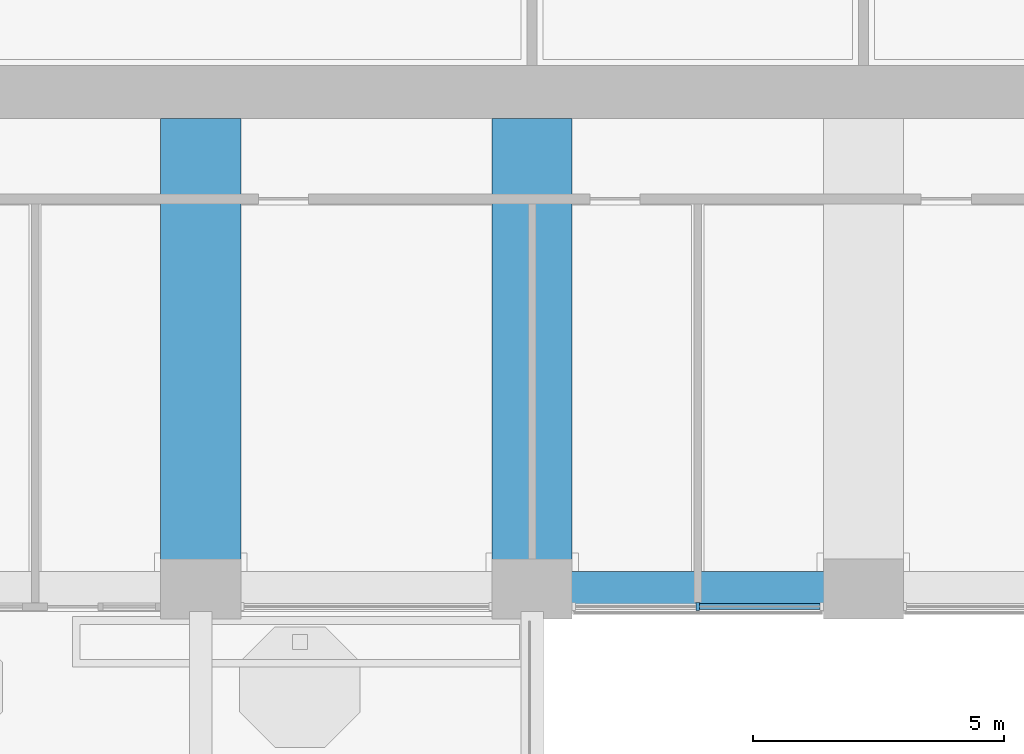
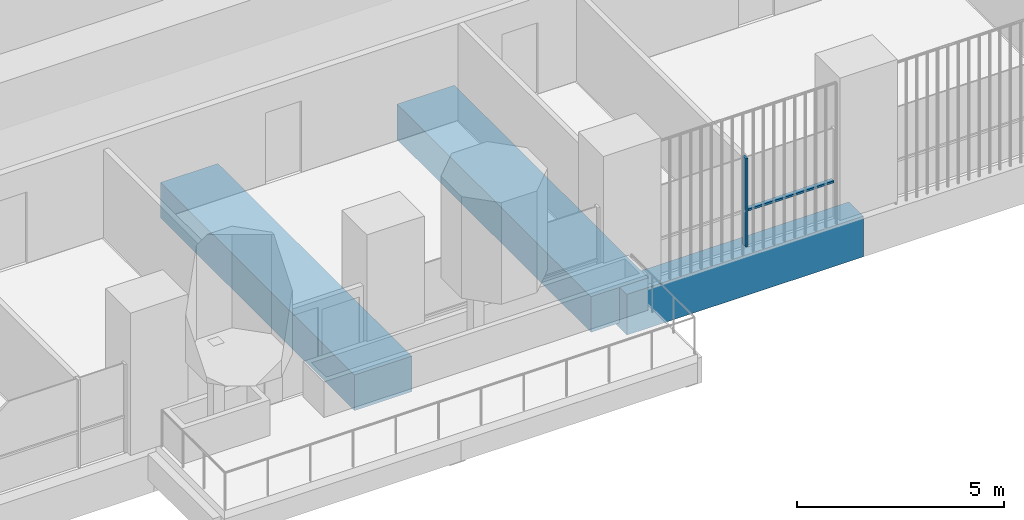
# One storey, part 3 of 20: 3 beams, 2 members, 1 element without a shape of its own.
"""IFC4 building model written with IfcOpenShell, lengths in metres."""

from ifc_helpers import new_model, si_unit, direction, frame, origin, origin_2d, place, context, subcontext, project, spatial, rectangle, extrude, material, material_profile, profile_set, type_object, element, aggregate, save


model = new_model("IFC4")

# Units and contexts
model_context = context("Model", 3, precision=1e-05, world=origin(), true_north=direction((0.0, 1.0)))
body_context = subcontext(model_context, "Body", "Model", "MODEL_VIEW")
ifc_project = project(units=[si_unit("LENGTHUNIT", "METRE"), si_unit("AREAUNIT", "SQUARE_METRE"), si_unit("VOLUMEUNIT", "CUBIC_METRE"), si_unit("PLANEANGLEUNIT", "RADIAN"), si_unit("MASSUNIT", "GRAM", prefix="KILO")], contexts=[model_context])

# Site, building, storey
site_placement = place(None, origin())
site = spatial("IfcSite", under=ifc_project, at=site_placement, CompositionType="ELEMENT")
building_placement = place(site_placement, origin())
building = spatial("IfcBuilding", under=site, at=building_placement, Name="Cobogo Forest Laboratory Tower", CompositionType="ELEMENT")
storey_placement = place(building_placement, frame((0.0, 0.0, 210.300048828125)))
storey = spatial("IfcBuildingStorey", under=building, at=storey_placement, Name="L48", CompositionType="ELEMENT", Elevation=210.300048828125)

# Beams
ifc_material_1 = material(Name="Concrete HA-50 (C50/60)", Category="concrete")
ifc_material_profile_1 = material_profile(ifc_material_1, rectangle(XDim=1.60009765625, YDim=1.050048828125, at=origin_2d()), Name="RC 1600x1050")
ifc_profile_set_1 = profile_set([ifc_material_profile_1], Name="Concrete HA-50 (C50/60)")
beam_type_1 = type_object("IfcBeamType", Name="Laboratory floor wide beam 1600x1050", PredefinedType="BEAM", material=ifc_profile_set_1)
for number, where, z_axis, x_axis, name in (
    (1, (19.800048828125, 12.675048828125, -0.824951171875), (0.0, -1.0, 0.0), (1.0, 0.0, 0.0), "RB8 R-4-S L48"),
    (2, (26.39990234375, 12.675048828125, -0.824951171875), (0.0, -1.0, 0.0), (1.0, 0.0, 0.0), "RB8 R-5-S L48"),
):
    element("IfcBeam", number, at=place(storey_placement, frame(where, z_axis=z_axis, x_axis=x_axis)), inside=storey, type_object=beam_type_1, Name=name, PredefinedType="BEAM", context=body_context, shape_type="SweptSolid", body=[
        extrude(rectangle(XDim=1.60009765625, YDim=1.050048828125, at=origin_2d()), origin(), (0.0, 0.0, 1.0), 9.375),
    ])

# Curtain wall, member
ifc_material_2 = material(Name="Aluminium curtain wall", Category="aluminium")
curtain_wall_type = type_object("IfcCurtainWallType", Name="CW-2 unitised curtain wall, solar control glazing, laboratory floors zones C and D", PredefinedType="USERDEFINED", material=ifc_material_2)
curtain_wall_placement = place(storey_placement, origin())
curtain_wall = element("IfcCurtainWall", 3, at=curtain_wall_placement, inside=storey, type_object=curtain_wall_type, Name="Curtain wall 04 L48", ObjectType="UNITISED CURTAIN WALL", PredefinedType="USERDEFINED")
ifc_material_3 = material(Name="Aluminium mullion", Category="aluminium")
ifc_material_profile_2 = material_profile(ifc_material_3, rectangle(XDim=0.06005859375, YDim=0.159912109375, at=origin_2d()), Name="AL 60x160")
ifc_profile_set_2 = profile_set([ifc_material_profile_2], Name="Aluminium mullion")
member_type_1 = type_object("IfcMemberType", Name="MU-1 aluminium mullion 60x160", PredefinedType="MULLION", material=ifc_profile_set_2)
member_1_placement = place(storey_placement, frame((29.699951171875, 2.949951171875, 0.0), z_axis=(0.0, 0.0, 1.0), x_axis=(1.0, 0.0, 0.0)))
member_1 = element("IfcMember", 4, at=member_1_placement, type_object=member_type_1, Name="CW-2 mullion 2", PredefinedType="MULLION", context=body_context, shape_type="SweptSolid", body=[
    extrude(rectangle(XDim=0.06005859375, YDim=0.159912109375, at=origin_2d()), origin(), (0.0, 0.0, 1.0), 2.599853515625),
])

# Beam
ifc_material_4 = material(Name="Concrete HA-40 (C40/50)", Category="concrete")
ifc_material_profile_3 = material_profile(ifc_material_4, rectangle(XDim=0.699951171875, YDim=1.199951171875, at=origin_2d()), Name="RC 700x1200")
ifc_profile_set_3 = profile_set([ifc_material_profile_3], Name="Concrete HA-40 (C40/50)")
beam_type_2 = type_object("IfcBeamType", Name="Perimeter edge beam 700x1200", PredefinedType="BEAM", material=ifc_profile_set_3)
beam_placement = place(storey_placement, frame((26.39990234375, 3.300048828125, -0.900146484375), z_axis=(1.0, 0.0, 0.0), x_axis=(0.0, 1.0, 0.0)))
element("IfcBeam", 5, at=beam_placement, inside=storey, type_object=beam_type_2, Name="EB1 E-S3 L48", PredefinedType="BEAM", context=body_context, shape_type="SweptSolid", body=[
    extrude(rectangle(XDim=0.699951171875, YDim=1.199951171875, at=origin_2d()), origin(), (0.0, 0.0, 1.0), 6.60009765625),
])

# Member
ifc_material_5 = material(Name="Aluminium transom", Category="aluminium")
ifc_material_profile_4 = material_profile(ifc_material_5, rectangle(XDim=0.1201171875, YDim=0.06005859375, at=origin_2d()), Name="AL 60x120")
ifc_profile_set_4 = profile_set([ifc_material_profile_4], Name="Aluminium transom")
member_type_2 = type_object("IfcMemberType", Name="TR-1 aluminium transom 60x120", PredefinedType="USERDEFINED", material=ifc_profile_set_4)
member_2_placement = place(storey_placement, frame((29.72998046875, 2.949951171875, 1.050048828125), z_axis=(1.0, 0.0, 0.0), x_axis=(0.0, 1.0, 0.0)))
member_2 = element("IfcMember", 6, at=member_2_placement, type_object=member_type_2, Name="CW-2 transom 2.1", ObjectType="TRANSOM", PredefinedType="USERDEFINED", context=body_context, shape_type="SweptSolid", body=[
    extrude(rectangle(XDim=0.1201171875, YDim=0.06005859375, at=origin_2d()), origin(), (0.0, 0.0, 1.0), 2.409912109375),
])

aggregate(curtain_wall, [member_1, member_2])

save(model, "model.ifc")
